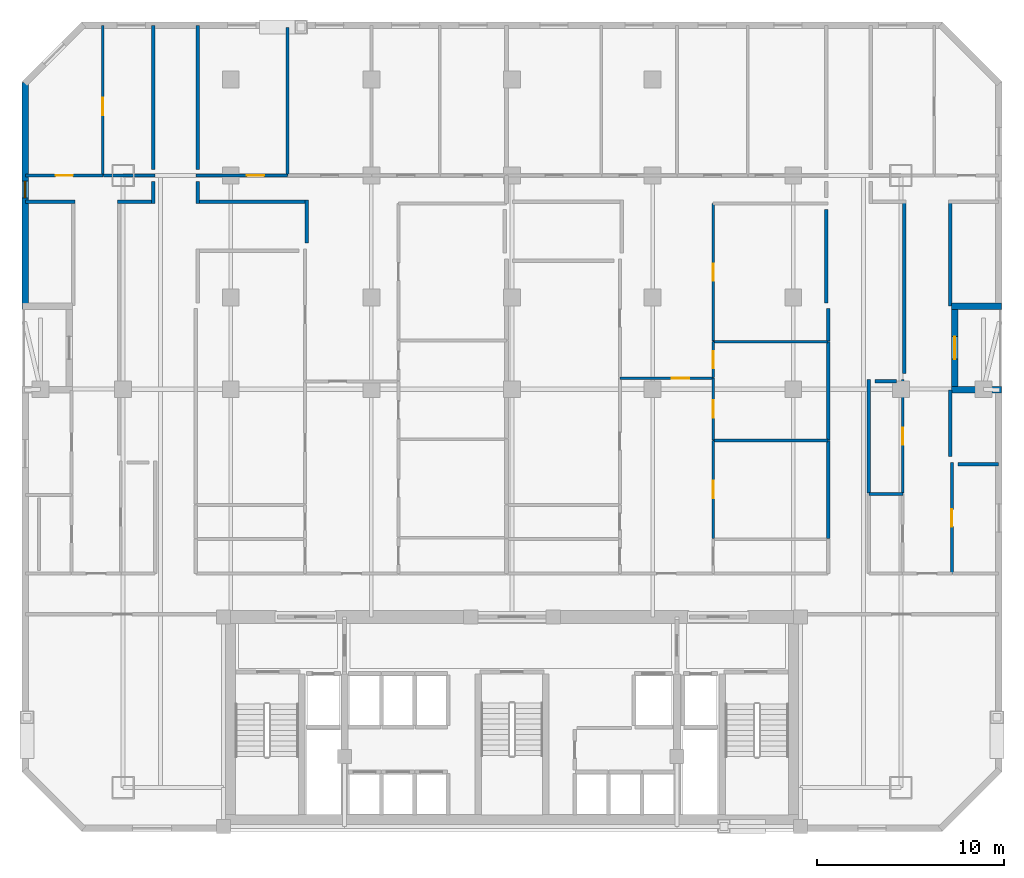
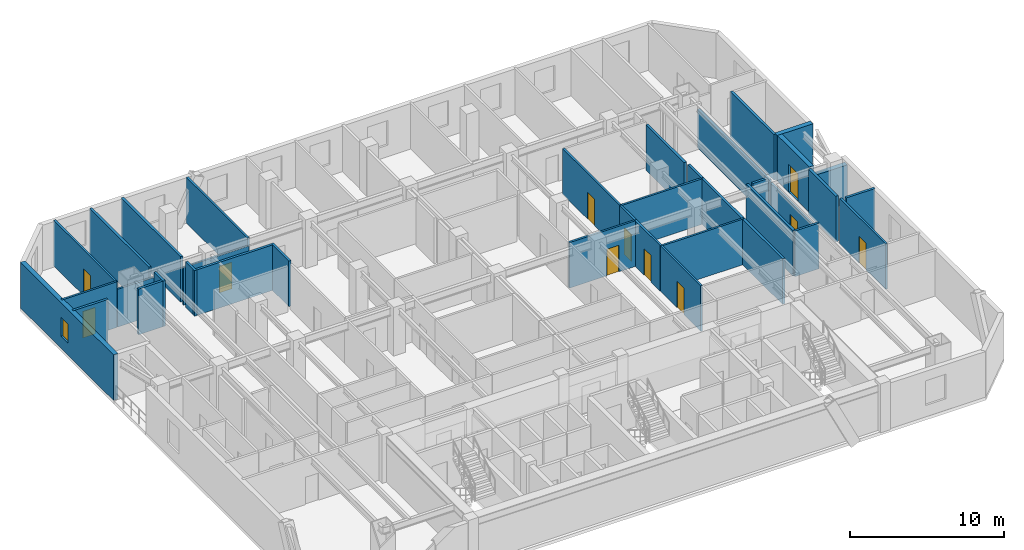
# One storey, part 6 of 10: 37 walls, 11 doors, 1 window, 12 openings.
"""IFC4 building model written with IfcOpenShell, lengths in metres."""

from ifc_helpers import new_model, si_unit, direction, frame, frame_2d, origin, place, context, subcontext, project, spatial, rectangle, extrude, material, layer, layer_set, type_object, element, fill, save


model = new_model("IFC4")

# Units and contexts
model_context = context("Model", 3, precision=1e-05, world=origin(), true_north=direction((0.0, 1.0)))
body_context = subcontext(model_context, "Body", "Model", "MODEL_VIEW")
ifc_project = project(units=[si_unit("LENGTHUNIT", "METRE"), si_unit("AREAUNIT", "SQUARE_METRE"), si_unit("VOLUMEUNIT", "CUBIC_METRE"), si_unit("PLANEANGLEUNIT", "RADIAN"), si_unit("MASSUNIT", "GRAM", prefix="KILO")], contexts=[model_context])

# Site, building, storey
site_placement = place(None, origin())
site = spatial("IfcSite", under=ifc_project, at=site_placement, CompositionType="ELEMENT")
building_placement = place(site_placement, origin())
building = spatial("IfcBuilding", under=site, at=building_placement, Name="Ventersveld Concourse Tower", CompositionType="ELEMENT")
storey_placement = place(building_placement, frame((0.0, 0.0, 96.449951171875)))
storey = spatial("IfcBuildingStorey", under=building, at=storey_placement, Name="L23", CompositionType="ELEMENT", Elevation=96.449951171875)

# Walls
ifc_material_1 = material(Name="Fire-rated autoclaved aerated masonry blockwork", Category="masonry")
ifc_layer_1 = layer(ifc_material_1, 0.179931640625)
ifc_layer_set_1 = layer_set([ifc_layer_1], Name="Fire-rated autoclaved aerated masonry blockwork")
wall_type_1 = type_object("IfcWallType", Name="WL-CORR-180", PredefinedType="PARTITIONING", material=ifc_layer_set_1)
wall_1_placement = place(storey_placement, frame((47.7900390625, 18.05517578125, 0.0), z_axis=(0.0, 0.0, 1.0), x_axis=(0.0, 1.0, 0.0)))
element("IfcWall", 1, at=wall_1_placement, inside=storey, type_object=wall_type_1, Name="L23 Interior Partition SP-L23-COR-SP-L23-23NE-PANL0", PredefinedType="PARTITIONING", context=body_context, shape_type="SweptSolid", body=[
    extrude(rectangle(XDim=6.070068359375, YDim=0.179931640625, at=frame_2d((3.03515625, 0.0))), origin(), (0.0, 0.0, 1.0), 3.60009765625),
])
for number, where, z_axis, x_axis, name in (
    (2, (45.610107421875, 15.635009765625, 0.0), (0.0, 0.0, 1.0), (0.0, 1.0, 0.0), "L23 Interior Partition SP-L23-COR-SP-L23-23N2-DENR"),
    (3, (45.610107421875, 20.898681640625, 0.0), (0.0, 0.0, 1.0), (0.0, 1.0, 0.0), "L23 Interior Partition SP-L23-COR-SP-L23-23N2-DENS"),
):
    element("IfcWall", number, at=place(storey_placement, frame(where, z_axis=z_axis, x_axis=x_axis)), inside=storey, type_object=wall_type_1, Name=name, PredefinedType="PARTITIONING", context=body_context, shape_type="SweptSolid", body=[
        extrude(rectangle(XDim=5.233642578125, YDim=0.179931640625, at=frame_2d((2.61669921875, 0.0))), origin(), (0.0, 0.0, 1.0), 3.60009765625),
    ])
wall_2_placement = place(storey_placement, frame((45.610107421875, 26.162353515625, 0.0), z_axis=(0.0, 0.0, 1.0), x_axis=(0.0, 1.0, 0.0)))
element("IfcWall", 4, at=wall_2_placement, inside=storey, type_object=wall_type_1, Name="L23 Interior Partition SP-L23-COR-SP-L23-23N2-DENS2", PredefinedType="PARTITIONING", context=body_context, shape_type="SweptSolid", body=[
    extrude(rectangle(XDim=1.732666015625, YDim=0.179931640625, at=frame_2d((0.8662109375, 0.0))), origin(), (0.0, 0.0, 1.0), 3.60009765625),
])
wall_3_placement = place(storey_placement, frame((5.44189453125, 33.590087890625, 0.0), z_axis=(0.0, 0.0, 1.0), x_axis=(-1.0, 0.0, 0.0)))
element("IfcWall", 5, at=wall_3_placement, inside=storey, type_object=wall_type_1, Name="L23 Room Enclosure Wall SP-L23-23NW-LIV", PredefinedType="PARTITIONING", context=body_context, shape_type="SweptSolid", body=[
    extrude(rectangle(XDim=2.6318359375, YDim=0.179931640625, at=frame_2d((1.31591796875, 0.0))), origin(), (0.0, 0.0, 1.0), 3.60009765625),
])
wall_4_placement = place(storey_placement, frame((9.6201171875, 34.675048828125, 0.0), z_axis=(0.0, 0.0, 1.0), x_axis=(0.0, -1.0, 0.0)))
element("IfcWall", 6, at=wall_4_placement, inside=storey, type_object=wall_type_1, Name="L23 Room Enclosure Wall SP-L23-23NW-LIV", PredefinedType="PARTITIONING", context=body_context, shape_type="SweptSolid", body=[
    extrude(rectangle(XDim=1.179931640625, YDim=0.179931640625, at=frame_2d((0.58984375, 0.0))), origin(), (0.0, 0.0, 1.0), 3.60009765625),
])
wall_5_placement = place(storey_placement, frame((9.715087890625, 33.590087890625, 0.0), z_axis=(0.0, 0.0, 1.0), x_axis=(-1.0, 0.0, 0.0)))
element("IfcWall", 7, at=wall_5_placement, inside=storey, type_object=wall_type_1, Name="L23 Room Enclosure Wall SP-L23-23NW-LIV", PredefinedType="PARTITIONING", context=body_context, shape_type="SweptSolid", body=[
    extrude(rectangle(XDim=2.01708984375, YDim=0.179931640625, at=frame_2d((1.008544921875, 0.0))), origin(), (0.0, 0.0, 1.0), 3.60009765625),
])
wall_6_placement = place(storey_placement, frame((9.6201171875, 42.989990234375, 0.0), z_axis=(0.0, 0.0, 1.0), x_axis=(0.0, -1.0, 0.0)))
element("IfcWall", 8, at=wall_6_placement, inside=storey, type_object=wall_type_1, Name="L23 Room Enclosure Wall SP-L23-23NW-BR2", PredefinedType="PARTITIONING", context=body_context, shape_type="SweptSolid", body=[
    extrude(rectangle(XDim=7.6650390625, YDim=0.179931640625, at=frame_2d((3.83251953125, 0.0))), origin(), (0.0, 0.0, 1.0), 3.60009765625),
])
wall_7_placement = place(storey_placement, frame((49.681640625, 24.440185546875, 0.0), z_axis=(0.0, 0.0, 1.0), x_axis=(0.0, 1.0, 0.0)))
element("IfcWall", 9, at=wall_7_placement, inside=storey, type_object=wall_type_1, Name="L23 Room Enclosure Wall SP-L23-23NE-LIV", PredefinedType="PARTITIONING", context=body_context, shape_type="SweptSolid", body=[
    extrude(rectangle(XDim=9.244873046875, YDim=0.179931640625, at=frame_2d((4.62255859375, 0.0))), origin(), (0.0, 0.0, 1.0), 3.0556640625),
])
wall_8_placement = place(storey_placement, frame((52.127685546875, 33.68505859375, 0.0), z_axis=(0.0, 0.0, 1.0), x_axis=(0.0, -1.0, 0.0)))
element("IfcWall", 10, at=wall_8_placement, inside=storey, type_object=wall_type_1, Name="L23 Room Enclosure Wall SP-L23-23NE-LIV", PredefinedType="PARTITIONING", context=body_context, shape_type="SweptSolid", body=[
    extrude(rectangle(XDim=5.640869140625, YDim=0.179931640625, at=frame_2d((2.8203125, 0.0))), origin(), (0.0, 0.0, 1.0), 3.60009765625),
])
wall_9_placement = place(storey_placement, frame((52.127685546875, 23.555908203125, 0.0), z_axis=(0.0, 0.0, 1.0), x_axis=(0.0, -1.0, 0.0)))
element("IfcWall", 11, at=wall_9_placement, inside=storey, type_object=wall_type_1, Name="L23 Room Enclosure Wall SP-L23-23NE-LIV", PredefinedType="PARTITIONING", context=body_context, shape_type="SweptSolid", body=[
    extrude(rectangle(XDim=3.545654296875, YDim=0.179931640625, at=frame_2d((1.77294921875, 0.0))), origin(), (0.0, 0.0, 1.0), 3.60009765625),
])
wall_10_placement = place(storey_placement, frame((48.114990234375, 24.0302734375, 0.0), z_axis=(0.0, 0.0, 1.0), x_axis=(1.0, 0.0, 0.0)))
element("IfcWall", 12, at=wall_10_placement, inside=storey, type_object=wall_type_1, Name="L23 Room Enclosure Wall SP-L23-23NE-PANL0", PredefinedType="PARTITIONING", context=body_context, shape_type="SweptSolid", body=[
    extrude(rectangle(XDim=1.151611328125, YDim=0.179931640625, at=frame_2d((0.57568359375, 0.0))), origin(), (0.0, 0.0, 1.0), 3.60009765625),
])
wall_11_placement = place(storey_placement, frame((52.54248046875, 19.600341796875, 0.0), z_axis=(0.0, 0.0, 1.0), x_axis=(1.0, 0.0, 0.0)))
element("IfcWall", 13, at=wall_11_placement, inside=storey, type_object=wall_type_1, Name="L23 Room Enclosure Wall SP-L23-23NE-KIT", PredefinedType="PARTITIONING", context=body_context, shape_type="SweptSolid", body=[
    extrude(rectangle(XDim=2.1474609375, YDim=0.179931640625, at=frame_2d((1.07373046875, 0.0))), origin(), (0.0, 0.0, 1.0), 3.60009765625),
])
wall_12_placement = place(storey_placement, frame((17.900390625, 33.590087890625, 0.0), z_axis=(0.0, 0.0, 1.0), x_axis=(-1.0, 0.0, 0.0)))
element("IfcWall", 14, at=wall_12_placement, inside=storey, type_object=wall_type_1, Name="L23 Room Enclosure Wall SP-L23-23N1-LIV", PredefinedType="PARTITIONING", context=body_context, shape_type="SweptSolid", body=[
    extrude(rectangle(XDim=6.015380859375, YDim=0.179931640625, at=frame_2d((3.0078125, 0.0))), origin(), (0.0, 0.0, 1.0), 3.60009765625),
])
wall_13_placement = place(storey_placement, frame((11.97998046875, 33.4951171875, 0.0), z_axis=(0.0, 0.0, 1.0), x_axis=(0.0, 1.0, 0.0)))
element("IfcWall", 15, at=wall_13_placement, inside=storey, type_object=wall_type_1, Name="L23 Room Enclosure Wall SP-L23-23N1-LIV", PredefinedType="PARTITIONING", context=body_context, shape_type="SweptSolid", body=[
    extrude(rectangle(XDim=1.179931640625, YDim=0.179931640625, at=frame_2d((0.58984375, 0.0))), origin(), (0.0, 0.0, 1.0), 3.60009765625),
])
wall_14_placement = place(storey_placement, frame((17.805419921875, 31.391845703125, 0.0), z_axis=(0.0, 0.0, 1.0), x_axis=(0.0, 1.0, 0.0)))
element("IfcWall", 16, at=wall_14_placement, inside=storey, type_object=wall_type_1, Name="L23 Room Enclosure Wall SP-L23-23N1-LIV", PredefinedType="PARTITIONING", context=body_context, shape_type="SweptSolid", body=[
    extrude(rectangle(XDim=2.293212890625, YDim=0.179931640625, at=frame_2d((1.146484375, 0.0))), origin(), (0.0, 0.0, 1.0), 3.60009765625),
])
wall_15_placement = place(storey_placement, frame((11.97998046875, 35.324951171875, 0.0), z_axis=(0.0, 0.0, 1.0), x_axis=(0.0, 1.0, 0.0)))
element("IfcWall", 17, at=wall_15_placement, inside=storey, type_object=wall_type_1, Name="L23 Room Enclosure Wall SP-L23-23N1-BR1", PredefinedType="PARTITIONING", context=body_context, shape_type="SweptSolid", body=[
    extrude(rectangle(XDim=7.6650390625, YDim=0.179931640625, at=frame_2d((3.83251953125, 0.0))), origin(), (0.0, 0.0, 1.0), 3.60009765625),
])
wall_16_placement = place(storey_placement, frame((45.52001953125, 33.175048828125, 0.0), z_axis=(0.0, 0.0, 1.0), x_axis=(0.0, -1.0, 0.0)))
element("IfcWall", 18, at=wall_16_placement, inside=storey, type_object=wall_type_1, Name="L23 Room Enclosure Wall SP-L23-23N2-DENS2", PredefinedType="PARTITIONING", context=body_context, shape_type="SweptSolid", body=[
    extrude(rectangle(XDim=4.965087890625, YDim=0.179931640625, at=frame_2d((2.482421875, 0.0))), origin(), (0.0, 0.0, 1.0), 3.60009765625),
])

# Wall, opening, door
ifc_material_2 = material(Name="Autoclaved aerated masonry blockwork", Category="masonry")
ifc_layer_2 = layer(ifc_material_2, 0.14990234375)
ifc_layer_set_2 = layer_set([ifc_layer_2], Name="Autoclaved aerated masonry blockwork")
wall_type_2 = type_object("IfcWallType", Name="WL-INT-150", PredefinedType="PARTITIONING", material=ifc_layer_set_2)
wall_17_placement = place(storey_placement, frame((2.81005859375, 35.0, 0.0), z_axis=(0.0, 0.0, 1.0), x_axis=(1.0, 0.0, 0.0)))
wall_17 = element("IfcWall", 19, at=wall_17_placement, inside=storey, type_object=wall_type_2, Name="L23 Interior Partition SP-L23-23NW-LIV-SP-L23-23NW-BR1", PredefinedType="PARTITIONING", context=body_context, shape_type="SweptSolid", body=[
    extrude(rectangle(XDim=4.113037109375, YDim=0.14990234375, at=frame_2d((2.056640625, 0.0))), origin(), (0.0, 0.0, 1.0), 3.60009765625),
])
opening_1_placement = place(wall_17_placement, frame((1.5966796875, 0.0, 0.0)))
opening_1 = element("IfcOpeningElement", 20, at=opening_1_placement, cuts=wall_17, Name="Opening ID1", PredefinedType="OPENING", context=body_context, shape_type="SweptSolid", body=[
    extrude(rectangle(XDim=0.919921875, YDim=2.10009765625, at=frame_2d((0.4599609375, 1.050048828125))), frame((0.0, 0.0849609375, 0.0), z_axis=(0.0, -1.0, 0.0), x_axis=(1.0, 0.0, 0.0)), (0.0, 0.0, 1.0), 0.169921875),
])
ifc_material_3 = material(Name="Solid-core hardwood veneer timber", Category="wood")
door_type_1 = type_object("IfcDoorType", Name="DR-ROOM-092", OperationType="NOTDEFINED", PredefinedType="DOOR", material=ifc_material_3)
door_1_placement = place(opening_1_placement, origin())
door_1 = element("IfcDoor", 21, at=door_1_placement, inside=storey, type_object=door_type_1, Name="L23 Interior Door SP-L23-23NW-LIV to SP-L23-23NW-BR1 (D-L23-1125)", OperationType="SINGLE_SWING_LEFT", OverallHeight=2.10009765625, OverallWidth=0.919921875, PredefinedType="DOOR", context=body_context, shape_type="SweptSolid", body=[
    extrude(rectangle(XDim=0.919921875, YDim=2.10009765625, at=frame_2d((0.4599609375, 1.050048828125))), frame((0.0, 0.02490234375, 0.0), z_axis=(0.0, -1.0, 0.0), x_axis=(1.0, 0.0, 0.0)), (0.0, 0.0, 1.0), 0.050048828125),
])
fill(opening_1, door_1)

# Wall
wall_18_placement = place(storey_placement, frame((6.953125, 35.0, 0.0), z_axis=(0.0, 0.0, 1.0), x_axis=(1.0, 0.0, 0.0)))
element("IfcWall", 22, at=wall_18_placement, inside=storey, type_object=wall_type_2, Name="L23 Interior Partition SP-L23-23NW-LIV-SP-L23-23NW-BR2", PredefinedType="PARTITIONING", context=body_context, shape_type="SweptSolid", body=[
    extrude(rectangle(XDim=2.761962890625, YDim=0.14990234375, at=frame_2d((1.380859375, 0.0))), origin(), (0.0, 0.0, 1.0), 2.98291015625),
])

# Wall, opening, door
wall_19_placement = place(storey_placement, frame((6.918212890625, 34.9951171875, 0.0), z_axis=(0.0, 0.0, 1.0), x_axis=(0.0, 1.0, 0.0)))
wall_19 = element("IfcWall", 23, at=wall_19_placement, inside=storey, type_object=wall_type_2, Name="L23 Interior Partition SP-L23-23NW-BR1-SP-L23-23NW-BR2", PredefinedType="PARTITIONING", context=body_context, shape_type="SweptSolid", body=[
    extrude(rectangle(XDim=7.994873046875, YDim=0.14990234375, at=frame_2d((3.99755859375, 0.0))), origin(), (0.0, 0.0, 1.0), 3.60009765625),
])
opening_2_placement = place(wall_19_placement, frame((3.22998046875, 0.0, 0.0)))
opening_2 = element("IfcOpeningElement", 24, at=opening_2_placement, cuts=wall_19, Name="Opening ID1", PredefinedType="OPENING", context=body_context, shape_type="SweptSolid", body=[
    extrude(rectangle(XDim=0.919921875, YDim=2.10009765625, at=frame_2d((0.4599609375, 1.050048828125))), frame((0.0, 0.0849609375, 0.0), z_axis=(0.0, -1.0, 0.0), x_axis=(1.0, 0.0, 0.0)), (0.0, 0.0, 1.0), 0.169921875),
])
door_2_placement = place(opening_2_placement, origin())
door_2 = element("IfcDoor", 25, at=door_2_placement, inside=storey, type_object=door_type_1, Name="L23 Interior Door Flat 23NW Bedroom 2 (D-L23-1160)", OperationType="SINGLE_SWING_LEFT", OverallHeight=2.10009765625, OverallWidth=0.919921875, PredefinedType="DOOR", context=body_context, shape_type="SweptSolid", body=[
    extrude(rectangle(XDim=0.919921875, YDim=2.10009765625, at=frame_2d((0.4599609375, 1.050048828125))), frame((0.0, 0.02490234375, 0.0), z_axis=(0.0, -1.0, 0.0), x_axis=(1.0, 0.0, 0.0)), (0.0, 0.0, 1.0), 0.050048828125),
])
fill(opening_2, door_2)

wall_20_placement = place(storey_placement, frame((49.591552734375, 18.05517578125, 0.0), z_axis=(0.0, 0.0, 1.0), x_axis=(0.0, 1.0, 0.0)))
wall_20 = element("IfcWall", 26, at=wall_20_placement, inside=storey, type_object=wall_type_2, Name="L23 Interior Partition SP-L23-23NE-LIV-SP-L23-23NE-PANL0", PredefinedType="PARTITIONING", context=body_context, shape_type="SweptSolid", body=[
    extrude(rectangle(XDim=6.070068359375, YDim=0.14990234375, at=frame_2d((3.03515625, 0.0))), origin(), (0.0, 0.0, 1.0), 3.0556640625),
])
opening_3_placement = place(wall_20_placement, frame((2.5751953125, 0.0, 0.0)))
opening_3 = element("IfcOpeningElement", 27, at=opening_3_placement, cuts=wall_20, Name="Opening ID1", PredefinedType="OPENING", context=body_context, shape_type="SweptSolid", body=[
    extrude(rectangle(XDim=0.919921875, YDim=2.10009765625, at=frame_2d((0.4599609375, 1.050048828125))), frame((0.0, 0.0849609375, 0.0), z_axis=(0.0, -1.0, 0.0), x_axis=(1.0, 0.0, 0.0)), (0.0, 0.0, 1.0), 0.169921875),
])
door_3_placement = place(opening_3_placement, origin())
door_3 = element("IfcDoor", 28, at=door_3_placement, inside=storey, type_object=door_type_1, Name="L23 Interior Door SP-L23-23NE-LIV to SP-L23-23NE-PANL0 (D-L23-1128)", OperationType="SINGLE_SWING_RIGHT", OverallHeight=2.10009765625, OverallWidth=0.919921875, PredefinedType="DOOR", context=body_context, shape_type="SweptSolid", body=[
    extrude(rectangle(XDim=0.919921875, YDim=2.10009765625, at=frame_2d((0.4599609375, 1.050048828125))), frame((0.0, 0.02490234375, 0.0), z_axis=(0.0, -1.0, 0.0), x_axis=(1.0, 0.0, 0.0)), (0.0, 0.0, 1.0), 0.050048828125),
])
fill(opening_3, door_3)

wall_21_placement = place(storey_placement, frame((52.217529296875, 13.764892578125, 0.0), z_axis=(0.0, 0.0, 1.0), x_axis=(0.0, 1.0, 0.0)))
wall_21 = element("IfcWall", 29, at=wall_21_placement, inside=storey, type_object=wall_type_2, Name="L23 Interior Partition SP-L23-23NE-LIV-SP-L23-23NE-KIT", PredefinedType="PARTITIONING", context=body_context, shape_type="SweptSolid", body=[
    extrude(rectangle(XDim=5.930419921875, YDim=0.14990234375, at=frame_2d((2.96533203125, 0.0))), origin(), (0.0, 0.0, 1.0), 3.60009765625),
])
opening_4_placement = place(wall_21_placement, frame((2.505126953125, 0.0, 0.0)))
opening_4 = element("IfcOpeningElement", 30, at=opening_4_placement, cuts=wall_21, Name="Opening ID1", PredefinedType="OPENING", context=body_context, shape_type="SweptSolid", body=[
    extrude(rectangle(XDim=0.919921875, YDim=2.10009765625, at=frame_2d((0.4599609375, 1.050048828125))), frame((0.0, 0.0849609375, 0.0), z_axis=(0.0, -1.0, 0.0), x_axis=(1.0, 0.0, 0.0)), (0.0, 0.0, 1.0), 0.169921875),
])
door_4_placement = place(opening_4_placement, origin())
door_4 = element("IfcDoor", 31, at=door_4_placement, inside=storey, type_object=door_type_1, Name="L23 Interior Door SP-L23-23NE-LIV to SP-L23-23NE-KIT (D-L23-1129)", OperationType="SINGLE_SWING_LEFT", OverallHeight=2.10009765625, OverallWidth=0.919921875, PredefinedType="DOOR", context=body_context, shape_type="SweptSolid", body=[
    extrude(rectangle(XDim=0.919921875, YDim=2.10009765625, at=frame_2d((0.4599609375, 1.050048828125))), frame((0.0, 0.02490234375, 0.0), z_axis=(0.0, -1.0, 0.0), x_axis=(1.0, 0.0, 0.0)), (0.0, 0.0, 1.0), 0.050048828125),
])
fill(opening_4, door_4)

wall_22_placement = place(storey_placement, frame((11.885009765625, 35.0, 0.0), z_axis=(0.0, 0.0, 1.0), x_axis=(1.0, 0.0, 0.0)))
wall_22 = element("IfcWall", 32, at=wall_22_placement, inside=storey, type_object=wall_type_2, Name="L23 Interior Partition SP-L23-23N1-LIV-SP-L23-23N1-BR1", PredefinedType="PARTITIONING", context=body_context, shape_type="SweptSolid", body=[
    extrude(rectangle(XDim=4.893310546875, YDim=0.14990234375, at=frame_2d((2.44677734375, 0.0))), origin(), (0.0, 0.0, 1.0), 2.98291015625),
])
opening_5_placement = place(wall_22_placement, frame((2.720703125, 0.0, 0.0)))
opening_5 = element("IfcOpeningElement", 33, at=opening_5_placement, cuts=wall_22, Name="Opening ID1", PredefinedType="OPENING", context=body_context, shape_type="SweptSolid", body=[
    extrude(rectangle(XDim=0.919921875, YDim=2.10009765625, at=frame_2d((0.4599609375, 1.050048828125))), frame((0.0, 0.0849609375, 0.0), z_axis=(0.0, -1.0, 0.0), x_axis=(1.0, 0.0, 0.0)), (0.0, 0.0, 1.0), 0.169921875),
])
door_5_placement = place(opening_5_placement, origin())
door_5 = element("IfcDoor", 34, at=door_5_placement, inside=storey, type_object=door_type_1, Name="L23 Interior Door SP-L23-23N1-LIV to SP-L23-23N1-BR1 (D-L23-1142)", OperationType="SINGLE_SWING_RIGHT", OverallHeight=2.10009765625, OverallWidth=0.919921875, PredefinedType="DOOR", context=body_context, shape_type="SweptSolid", body=[
    extrude(rectangle(XDim=0.919921875, YDim=2.10009765625, at=frame_2d((0.4599609375, 1.050048828125))), frame((0.0, 0.02490234375, 0.0), z_axis=(0.0, -1.0, 0.0), x_axis=(1.0, 0.0, 0.0)), (0.0, 0.0, 1.0), 0.050048828125),
])
fill(opening_5, door_5)

# Wall
wall_23_placement = place(storey_placement, frame((16.7734375, 34.9951171875, 0.0), z_axis=(0.0, 0.0, 1.0), x_axis=(0.0, 1.0, 0.0)))
element("IfcWall", 35, at=wall_23_placement, inside=storey, type_object=wall_type_2, Name="L23 Interior Partition SP-L23-23N1-BR1-SP-L23-23N1-BR2", PredefinedType="PARTITIONING", context=body_context, shape_type="SweptSolid", body=[
    extrude(rectangle(XDim=7.906982421875, YDim=0.14990234375, at=frame_2d((3.95361328125, 0.0))), origin(), (0.0, 0.0, 1.0), 3.60009765625),
])

# Wall, opening, door
wall_24_placement = place(storey_placement, frame((34.501220703125, 24.181884765625, 0.0), z_axis=(0.0, 0.0, 1.0), x_axis=(1.0, 0.0, 0.0)))
wall_24 = element("IfcWall", 36, at=wall_24_placement, inside=storey, type_object=wall_type_2, Name="L23 Interior Partition SP-L23-23N2-FOY-SP-L23-23N2-LIV", PredefinedType="PARTITIONING", context=body_context, shape_type="SweptSolid", body=[
    extrude(rectangle(XDim=4.989990234375, YDim=0.14990234375, at=frame_2d((2.4951171875, 0.0))), origin(), (0.0, 0.0, 1.0), 3.60009765625),
])
opening_6_placement = place(wall_24_placement, frame((2.783447265625, 0.0, 0.0)))
opening_6 = element("IfcOpeningElement", 37, at=opening_6_placement, cuts=wall_24, Name="Opening ID1", PredefinedType="OPENING", context=body_context, shape_type="SweptSolid", body=[
    extrude(rectangle(XDim=0.919921875, YDim=2.10009765625, at=frame_2d((0.4599609375, 1.050048828125))), frame((0.0, 0.0849609375, 0.0), z_axis=(0.0, -1.0, 0.0), x_axis=(1.0, 0.0, 0.0)), (0.0, 0.0, 1.0), 0.169921875),
])
door_6_placement = place(opening_6_placement, origin())
door_6 = element("IfcDoor", 38, at=door_6_placement, inside=storey, type_object=door_type_1, Name="L23 Interior Door SP-L23-23N2-FOY to SP-L23-23N2-LIV (D-L23-1146)", OperationType="SINGLE_SWING_RIGHT", OverallHeight=2.10009765625, OverallWidth=0.919921875, PredefinedType="DOOR", context=body_context, shape_type="SweptSolid", body=[
    extrude(rectangle(XDim=0.919921875, YDim=2.10009765625, at=frame_2d((0.4599609375, 1.050048828125))), frame((0.0, 0.02490234375, 0.0), z_axis=(0.0, -1.0, 0.0), x_axis=(1.0, 0.0, 0.0)), (0.0, 0.0, 1.0), 0.050048828125),
])
fill(opening_6, door_6)

wall_25_placement = place(storey_placement, frame((39.486083984375, 15.635009765625, 0.0), z_axis=(0.0, 0.0, 1.0), x_axis=(0.0, 1.0, 0.0)))
wall_25 = element("IfcWall", 39, at=wall_25_placement, inside=storey, type_object=wall_type_2, Name="L23 Interior Partition SP-L23-23N2-FOY-SP-L23-23N2-DENR", PredefinedType="PARTITIONING", context=body_context, shape_type="SweptSolid", body=[
    extrude(rectangle(XDim=5.233642578125, YDim=0.14990234375, at=frame_2d((2.61669921875, 0.0))), origin(), (0.0, 0.0, 1.0), 3.60009765625),
])
opening_7_placement = place(wall_25_placement, frame((2.156982421875, 0.0, 0.0)))
opening_7 = element("IfcOpeningElement", 40, at=opening_7_placement, cuts=wall_25, Name="Opening ID1", PredefinedType="OPENING", context=body_context, shape_type="SweptSolid", body=[
    extrude(rectangle(XDim=0.919921875, YDim=2.10009765625, at=frame_2d((0.4599609375, 1.050048828125))), frame((0.0, 0.0849609375, 0.0), z_axis=(0.0, -1.0, 0.0), x_axis=(1.0, 0.0, 0.0)), (0.0, 0.0, 1.0), 0.169921875),
])
door_7_placement = place(opening_7_placement, origin())
door_7 = element("IfcDoor", 41, at=door_7_placement, inside=storey, type_object=door_type_1, Name="L23 Interior Door SP-L23-23N2-FOY to SP-L23-23N2-DENR (D-L23-1151)", OperationType="SINGLE_SWING_LEFT", OverallHeight=2.10009765625, OverallWidth=0.919921875, PredefinedType="DOOR", context=body_context, shape_type="SweptSolid", body=[
    extrude(rectangle(XDim=0.919921875, YDim=2.10009765625, at=frame_2d((0.4599609375, 1.050048828125))), frame((0.0, 0.02490234375, 0.0), z_axis=(0.0, -1.0, 0.0), x_axis=(1.0, 0.0, 0.0)), (0.0, 0.0, 1.0), 0.050048828125),
])
fill(opening_7, door_7)

wall_26_placement = place(storey_placement, frame((39.486083984375, 20.898681640625, 0.0), z_axis=(0.0, 0.0, 1.0), x_axis=(0.0, 1.0, 0.0)))
wall_26 = element("IfcWall", 42, at=wall_26_placement, inside=storey, type_object=wall_type_2, Name="L23 Interior Partition SP-L23-23N2-FOY-SP-L23-23N2-DENS", PredefinedType="PARTITIONING", context=body_context, shape_type="SweptSolid", body=[
    extrude(rectangle(XDim=3.288330078125, YDim=0.14990234375, at=frame_2d((1.64404296875, 0.0))), origin(), (0.0, 0.0, 1.0), 3.60009765625),
])
opening_8_placement = place(wall_26_placement, frame((1.18408203125, 0.0, 0.0)))
opening_8 = element("IfcOpeningElement", 43, at=opening_8_placement, cuts=wall_26, Name="Opening ID1", PredefinedType="OPENING", context=body_context, shape_type="SweptSolid", body=[
    extrude(rectangle(XDim=0.919921875, YDim=2.10009765625, at=frame_2d((0.4599609375, 1.050048828125))), frame((0.0, 0.0849609375, 0.0), z_axis=(0.0, -1.0, 0.0), x_axis=(1.0, 0.0, 0.0)), (0.0, 0.0, 1.0), 0.169921875),
])
door_8_placement = place(opening_8_placement, origin())
door_8 = element("IfcDoor", 44, at=door_8_placement, inside=storey, type_object=door_type_1, Name="L23 Interior Door SP-L23-23N2-FOY to SP-L23-23N2-DENS (D-L23-1152)", OperationType="SINGLE_SWING_RIGHT", OverallHeight=2.10009765625, OverallWidth=0.919921875, PredefinedType="DOOR", context=body_context, shape_type="SweptSolid", body=[
    extrude(rectangle(XDim=0.919921875, YDim=2.10009765625, at=frame_2d((0.4599609375, 1.050048828125))), frame((0.0, 0.02490234375, 0.0), z_axis=(0.0, -1.0, 0.0), x_axis=(1.0, 0.0, 0.0)), (0.0, 0.0, 1.0), 0.050048828125),
])
fill(opening_8, door_8)

wall_27_placement = place(storey_placement, frame((39.486083984375, 24.217041015625, 0.0), z_axis=(0.0, 0.0, 1.0), x_axis=(0.0, 1.0, 0.0)))
wall_27 = element("IfcWall", 45, at=wall_27_placement, inside=storey, type_object=wall_type_2, Name="L23 Interior Partition SP-L23-23N2-LIV-SP-L23-23N2-DENS", PredefinedType="PARTITIONING", context=body_context, shape_type="SweptSolid", body=[
    extrude(rectangle(XDim=1.915283203125, YDim=0.14990234375, at=frame_2d((0.95751953125, 0.0))), origin(), (0.0, 0.0, 1.0), 3.60009765625),
])
opening_9_placement = place(wall_27_placement, frame((0.497802734375, 0.0, 0.0)))
opening_9 = element("IfcOpeningElement", 46, at=opening_9_placement, cuts=wall_27, Name="Opening ID1", PredefinedType="OPENING", context=body_context, shape_type="SweptSolid", body=[
    extrude(rectangle(XDim=0.919921875, YDim=2.10009765625, at=frame_2d((0.4599609375, 1.050048828125))), frame((0.0, 0.0849609375, 0.0), z_axis=(0.0, -1.0, 0.0), x_axis=(1.0, 0.0, 0.0)), (0.0, 0.0, 1.0), 0.169921875),
])
door_9_placement = place(opening_9_placement, origin())
door_9 = element("IfcDoor", 47, at=door_9_placement, inside=storey, type_object=door_type_1, Name="L23 Interior Door SP-L23-23N2-LIV to SP-L23-23N2-DENS (D-L23-1154)", OperationType="SINGLE_SWING_RIGHT", OverallHeight=2.10009765625, OverallWidth=0.919921875, PredefinedType="DOOR", context=body_context, shape_type="SweptSolid", body=[
    extrude(rectangle(XDim=0.919921875, YDim=2.10009765625, at=frame_2d((0.4599609375, 1.050048828125))), frame((0.0, 0.02490234375, 0.0), z_axis=(0.0, -1.0, 0.0), x_axis=(1.0, 0.0, 0.0)), (0.0, 0.0, 1.0), 0.050048828125),
])
fill(opening_9, door_9)

wall_28_placement = place(storey_placement, frame((39.486083984375, 26.162353515625, 0.0), z_axis=(0.0, 0.0, 1.0), x_axis=(0.0, 1.0, 0.0)))
wall_28 = element("IfcWall", 48, at=wall_28_placement, inside=storey, type_object=wall_type_2, Name="L23 Interior Partition SP-L23-23N2-LIV-SP-L23-23N2-DENS2", PredefinedType="PARTITIONING", context=body_context, shape_type="SweptSolid", body=[
    extrude(rectangle(XDim=7.342529296875, YDim=0.14990234375, at=frame_2d((3.67138671875, 0.0))), origin(), (0.0, 0.0, 1.0), 3.60009765625),
])
opening_10_placement = place(wall_28_placement, frame((3.211181640625, 0.0, 0.0)))
opening_10 = element("IfcOpeningElement", 49, at=opening_10_placement, cuts=wall_28, Name="Opening ID1", PredefinedType="OPENING", context=body_context, shape_type="SweptSolid", body=[
    extrude(rectangle(XDim=0.919921875, YDim=2.10009765625, at=frame_2d((0.4599609375, 1.050048828125))), frame((0.0, 0.0849609375, 0.0), z_axis=(0.0, -1.0, 0.0), x_axis=(1.0, 0.0, 0.0)), (0.0, 0.0, 1.0), 0.169921875),
])
door_10_placement = place(opening_10_placement, origin())
door_10 = element("IfcDoor", 50, at=door_10_placement, inside=storey, type_object=door_type_1, Name="L23 Interior Door SP-L23-23N2-LIV to SP-L23-23N2-DENS2 (D-L23-1155)", OperationType="SINGLE_SWING_LEFT", OverallHeight=2.10009765625, OverallWidth=0.919921875, PredefinedType="DOOR", context=body_context, shape_type="SweptSolid", body=[
    extrude(rectangle(XDim=0.919921875, YDim=2.10009765625, at=frame_2d((0.4599609375, 1.050048828125))), frame((0.0, 0.02490234375, 0.0), z_axis=(0.0, -1.0, 0.0), x_axis=(1.0, 0.0, 0.0)), (0.0, 0.0, 1.0), 0.050048828125),
])
fill(opening_10, door_10)

# Walls
for number, where, z_axis, x_axis, name in (
    (51, (39.481201171875, 20.86376953125, 0.0), (0.0, 0.0, 1.0), (1.0, 0.0, 0.0), "L23 Interior Partition SP-L23-23N2-DENR-SP-L23-23N2-DENS"),
    (52, (39.481201171875, 26.12744140625, 0.0), (0.0, 0.0, 1.0), (1.0, 0.0, 0.0), "L23 Interior Partition SP-L23-23N2-DENS-SP-L23-23N2-DENS2"),
):
    element("IfcWall", number, at=place(storey_placement, frame(where, z_axis=z_axis, x_axis=x_axis)), inside=storey, type_object=wall_type_2, Name=name, PredefinedType="PARTITIONING", context=body_context, shape_type="SweptSolid", body=[
        extrude(rectangle(XDim=6.1337890625, YDim=0.14990234375, at=frame_2d((3.06689453125, 0.0))), origin(), (0.0, 0.0, 1.0), 3.60009765625),
    ])
ifc_material_4 = material(Name="Precast concrete C45/55", Category="concrete")
ifc_layer_3 = layer(ifc_material_4, 0.35009765625)
ifc_layer_set_3 = layer_set([ifc_layer_3], Name="Precast concrete C45/55")
wall_type_3 = type_object("IfcWallType", Name="WL-PREC-350", PredefinedType="SOLIDWALL", material=ifc_layer_set_3)
wall_29_placement = place(storey_placement, frame((54.860107421875, 23.574951171875, 0.0), z_axis=(0.0, 0.0, 1.0), x_axis=(-1.0, 0.0, 0.0)))
element("IfcWall", 53, at=wall_29_placement, inside=storey, type_object=wall_type_3, Name="L23 Highveld Precast Facade Wall E04", PredefinedType="SOLIDWALL", context=body_context, shape_type="SweptSolid", body=[
    extrude(rectangle(XDim=2.66015625, YDim=0.35009765625, at=frame_2d((1.330078125, 0.0))), origin(), (0.0, 0.0, 1.0), 3.0556640625),
])

# Wall, opening, door
wall_30_placement = place(storey_placement, frame((52.375, 23.75, 0.0), z_axis=(0.0, 0.0, 1.0), x_axis=(0.0, 1.0, 0.0)))
wall_30 = element("IfcWall", 54, at=wall_30_placement, inside=storey, type_object=wall_type_3, Name="L23 Highveld Precast Facade Wall E05", PredefinedType="SOLIDWALL", context=body_context, shape_type="SweptSolid", body=[
    extrude(rectangle(XDim=4.10009765625, YDim=0.35009765625, at=frame_2d((2.050048828125, 0.0))), origin(), (0.0, 0.0, 1.0), 3.60009765625),
])
opening_11_placement = place(wall_30_placement, frame((1.449951171875, 0.0, 0.0)))
opening_11 = element("IfcOpeningElement", 55, at=opening_11_placement, cuts=wall_30, Name="Opening TD1", PredefinedType="OPENING", context=body_context, shape_type="SweptSolid", body=[
    extrude(rectangle(XDim=1.199951171875, YDim=2.199951171875, at=frame_2d((0.60009765625, 1.10009765625))), frame((0.0, 0.18505859375, 0.0), z_axis=(0.0, -1.0, 0.0), x_axis=(1.0, 0.0, 0.0)), (0.0, 0.0, 1.0), 0.3701171875),
])
ifc_material_5 = material(Name="Anodised aluminium EN AW-6063-T6", Category="aluminium")
door_type_2 = type_object("IfcDoorType", Name="DR-TERR-120", OperationType="NOTDEFINED", PredefinedType="DOOR", material=ifc_material_5)
door_11_placement = place(opening_11_placement, frame((1.199951171875, 0.0, 0.0), z_axis=(0.0, 0.0, 1.0), x_axis=(-1.0, 0.0, 0.0)))
door_11 = element("IfcDoor", 56, at=door_11_placement, inside=storey, type_object=door_type_2, Name="L23 Stepped Valley Terrace Door TD-L23-02", OperationType="SINGLE_SWING_LEFT", OverallHeight=2.199951171875, OverallWidth=1.199951171875, PredefinedType="DOOR", context=body_context, shape_type="SweptSolid", body=[
    extrude(rectangle(XDim=1.199951171875, YDim=2.199951171875, at=frame_2d((0.60009765625, 1.10009765625))), frame((0.0, 0.02490234375, 0.0), z_axis=(0.0, -1.0, 0.0), x_axis=(1.0, 0.0, 0.0)), (0.0, 0.0, 1.0), 0.050048828125),
])
fill(opening_11, door_11)

# Wall
wall_31_placement = place(storey_placement, frame((52.199951171875, 28.02490234375, 0.0), z_axis=(0.0, 0.0, 1.0), x_axis=(1.0, 0.0, 0.0)))
element("IfcWall", 57, at=wall_31_placement, inside=storey, type_object=wall_type_3, Name="L23 Highveld Precast Facade Wall E06", PredefinedType="SOLIDWALL", context=body_context, shape_type="SweptSolid", body=[
    extrude(rectangle(XDim=2.66015625, YDim=0.35009765625, at=frame_2d((1.330078125, 0.0))), origin(), (0.0, 0.0, 1.0), 3.60009765625),
])

# Wall, opening, window
wall_32_placement = place(storey_placement, frame((2.77490234375, 39.9599609375, 0.0), z_axis=(0.0, 0.0, 1.0), x_axis=(0.0, -1.0, 0.0)))
wall_32 = element("IfcWall", 58, at=wall_32_placement, inside=storey, type_object=wall_type_3, Name="L23 Highveld Precast Facade Wall E11", PredefinedType="SOLIDWALL", context=body_context, shape_type="SweptSolid", body=[
    extrude(rectangle(XDim=12.070068359375, YDim=0.35009765625, at=frame_2d((6.03515625, 0.0))), origin(), (0.0, 0.0, 1.0), 3.60009765625),
])
opening_12_placement = place(wall_32_placement, frame((5.260009765625, 0.0, 0.949951171875)))
opening_12 = element("IfcOpeningElement", 59, at=opening_12_placement, cuts=wall_32, Name="Opening W4", PredefinedType="OPENING", context=body_context, shape_type="SweptSolid", body=[
    extrude(rectangle(XDim=0.89990234375, YDim=1.5, at=frame_2d((0.449951171875, 0.75))), frame((0.0, 0.18505859375, 0.0), z_axis=(0.0, -1.0, 0.0), x_axis=(1.0, 0.0, 0.0)), (0.0, 0.0, 1.0), 0.3701171875),
])
ifc_material_6 = material(Name="Tempered acoustic Low-E IGU", Category="glass")
window_type = type_object("IfcWindowType", Name="WIN-090x150", PartitioningType="SINGLE_PANEL", PredefinedType="WINDOW", material=ifc_material_6)
window_placement = place(opening_12_placement, origin())
window = element("IfcWindow", 60, at=window_placement, inside=storey, type_object=window_type, Name="L23 Punched Low-E Window W-0257", OverallHeight=1.5, OverallWidth=0.89990234375, PartitioningType="SINGLE_PANEL", PredefinedType="WINDOW", context=body_context, shape_type="SweptSolid", body=[
    extrude(rectangle(XDim=0.89990234375, YDim=1.5, at=frame_2d((0.449951171875, 0.75))), frame((0.0, 0.030029296875, 0.0), z_axis=(0.0, -1.0, 0.0), x_axis=(1.0, 0.0, 0.0)), (0.0, 0.0, 1.0), 0.06005859375),
])
fill(opening_12, window)

# Wall
ifc_layer_4 = layer(ifc_material_2, 0.1650390625)
ifc_layer_set_4 = layer_set([ifc_layer_4], Name="Autoclaved aerated masonry blockwork")
wall_type_4 = type_object("IfcWallType", Name="WL-WET-165", PredefinedType="PLUMBINGWALL", material=ifc_layer_set_4)
wall_33_placement = place(storey_placement, frame((47.784912109375, 18.02001953125, 0.0), z_axis=(0.0, 0.0, 1.0), x_axis=(1.0, 0.0, 0.0)))
element("IfcWall", 61, at=wall_33_placement, inside=storey, type_object=wall_type_4, Name="L23 Interior Partition SP-L23-23NE-BATH-SP-L23-23NE-PANL0", PredefinedType="PLUMBINGWALL", context=body_context, shape_type="SweptSolid", body=[
    extrude(rectangle(XDim=1.811767578125, YDim=0.1650390625, at=frame_2d((0.90576171875, 0.0))), origin(), (0.0, 0.0, 1.0), 3.60009765625),
])

save(model, "model.ifc")
